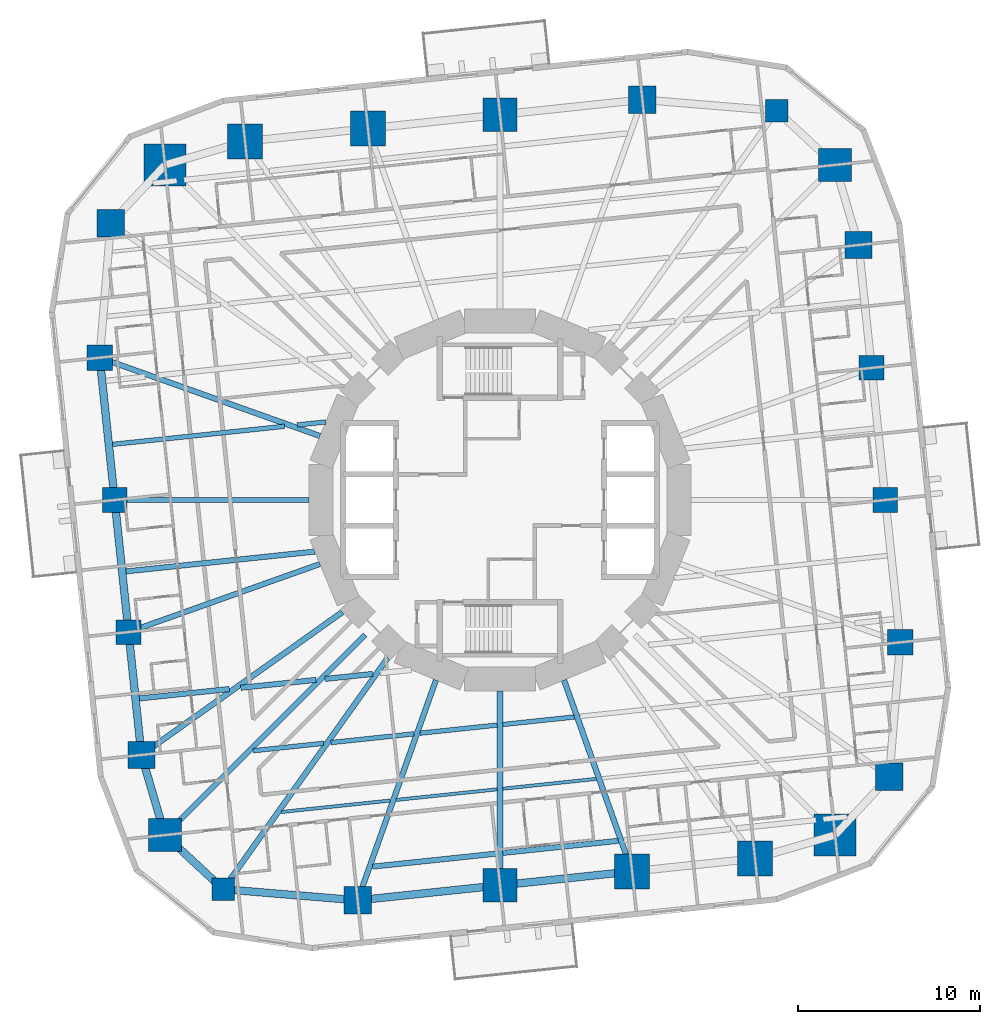
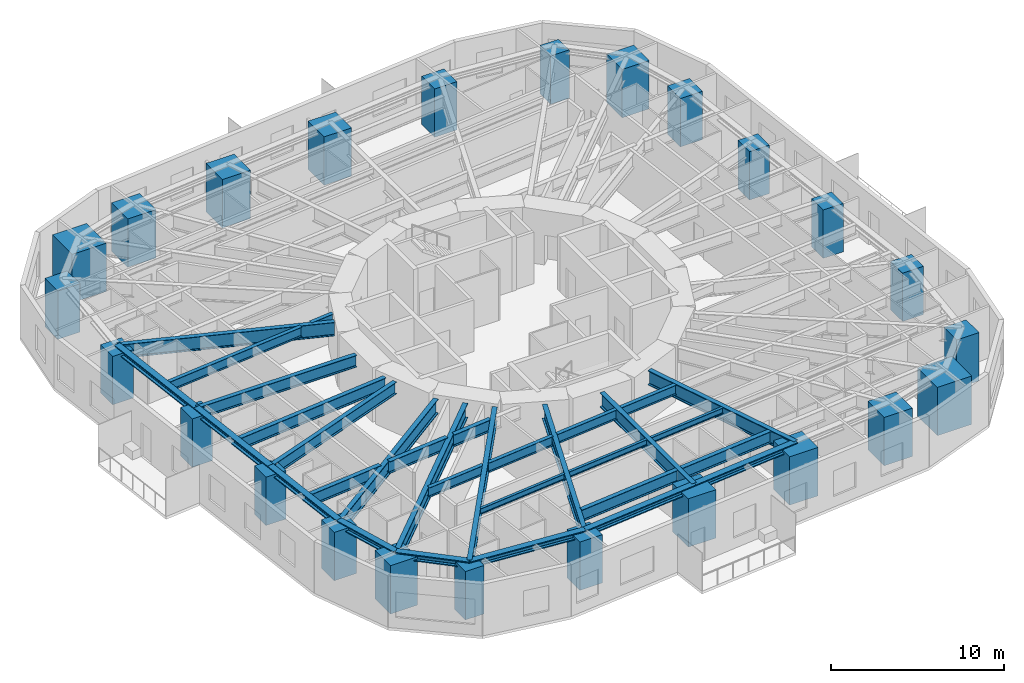
# One storey, part 1 of 13: 24 beams, 24 columns, 8 members.
"""IFC4 building model written with IfcOpenShell, lengths in metres."""

from ifc_helpers import new_model, si_unit, direction, frame, origin, origin_2d, place, context, subcontext, project, spatial, rectangle, i_section, extrude, material, material_profile, profile_set, type_object, element, save


model = new_model("IFC4")

# Units and contexts
model_context = context("Model", 3, precision=1e-05, world=origin(), true_north=direction((0.0, 1.0)))
body_context = subcontext(model_context, "Body", "Model", "MODEL_VIEW")
ifc_project = project(units=[si_unit("LENGTHUNIT", "METRE"), si_unit("AREAUNIT", "SQUARE_METRE"), si_unit("VOLUMEUNIT", "CUBIC_METRE"), si_unit("PLANEANGLEUNIT", "RADIAN"), si_unit("MASSUNIT", "GRAM", prefix="KILO")], contexts=[model_context])

# Site, building, storey
site_placement = place(None, origin())
site = spatial("IfcSite", under=ifc_project, at=site_placement, CompositionType="ELEMENT")
building_placement = place(site_placement, origin())
building = spatial("IfcBuilding", under=site, at=building_placement, Name="Nakasero Lantern House", CompositionType="ELEMENT")
storey_placement = place(building_placement, frame((0.0, 0.0, 91.300048828125)))
storey = spatial("IfcBuildingStorey", under=building, at=storey_placement, Name="L22", CompositionType="ELEMENT", Elevation=91.300048828125)

# Columns
ifc_material_1 = material(Name="Concrete C50/60", Category="concrete")
ifc_material_profile_1 = material_profile(ifc_material_1, rectangle(XDim=1.800048828125, YDim=1.800048828125, at=origin_2d()), Name="RC 1800x1800")
ifc_profile_set_1 = profile_set([ifc_material_profile_1], Name="Concrete C50/60")
column_type_1 = type_object("IfcColumnType", Name="Mega column RC 1800x1800 C50/60", PredefinedType="COLUMN", material=ifc_profile_set_1)
for number, where, z_axis, x_axis, name in (
    (1, (18.359375, 18.359375, 0.0), (0.0, 0.0, 1.0), (1.0, 0.0, 0.0), "Column B2-C06 L22"),
    (2, (-18.359375, -18.359375, 0.0), (0.0, 0.0, 1.0), (1.0, 0.0, 0.0), "Column B2-C18 L22"),
):
    element("IfcColumn", number, at=place(storey_placement, frame(where, z_axis=z_axis, x_axis=x_axis)), inside=storey, type_object=column_type_1, Name=name, PredefinedType="COLUMN", context=body_context, shape_type="SweptSolid", body=[
        extrude(rectangle(XDim=1.800048828125, YDim=1.800048828125, at=origin_2d()), origin(), (0.0, 0.0, 1.0), 3.422119140625),
    ])
ifc_material_2 = material(Name="Concrete C50/60", Category="concrete")
ifc_material_profile_2 = material_profile(ifc_material_2, rectangle(XDim=2.300048828125, YDim=2.300048828125, at=origin_2d()), Name="RC 2300x2300")
ifc_profile_set_2 = profile_set([ifc_material_profile_2], Name="Concrete C50/60")
column_type_2 = type_object("IfcColumnType", Name="Mega column RC 2300x2300 C50/60", PredefinedType="COLUMN", material=ifc_profile_set_2)
for number, where, z_axis, x_axis, name in (
    (3, (-18.359375, 18.359375, 0.0), (0.0, 0.0, 1.0), (1.0, 0.0, 0.0), "Column B2-C12 L22"),
    (4, (18.359375, -18.359375, 0.0), (0.0, 0.0, 1.0), (1.0, 0.0, 0.0), "Column B2-C24 L22"),
):
    element("IfcColumn", number, at=place(storey_placement, frame(where, z_axis=z_axis, x_axis=x_axis)), inside=storey, type_object=column_type_2, Name=name, PredefinedType="COLUMN", context=body_context, shape_type="SweptSolid", body=[
        extrude(rectangle(XDim=2.300048828125, YDim=2.300048828125, at=origin_2d()), origin(), (0.0, 0.0, 1.0), 3.422119140625),
    ])
ifc_material_3 = material(Name="Concrete C50/60", Category="concrete")
ifc_material_profile_3 = material_profile(ifc_material_3, rectangle(XDim=1.25, YDim=1.25, at=origin_2d()), Name="RC 1250x1250")
ifc_profile_set_3 = profile_set([ifc_material_profile_3], Name="Concrete C50/60")
column_type_3 = type_object("IfcColumnType", Name="Ring column RC 1250x1250 C50/60", PredefinedType="COLUMN", material=ifc_profile_set_3)
for number, where, z_axis, x_axis, name in (
    (5, (15.16650390625, 21.327880859375, 0.0), (0.0, 0.0, 1.0), (1.0, 0.0, 0.0), "Column B2-C07 L22"),
    (6, (-15.16650390625, -21.327880859375, 0.0), (0.0, 0.0, 1.0), (1.0, 0.0, 0.0), "Column B2-C19 L22"),
):
    element("IfcColumn", number, at=place(storey_placement, frame(where, z_axis=z_axis, x_axis=x_axis)), inside=storey, type_object=column_type_3, Name=name, PredefinedType="COLUMN", context=body_context, shape_type="SweptSolid", body=[
        extrude(rectangle(XDim=1.25, YDim=1.25, at=origin_2d()), origin(), (0.0, 0.0, 1.0), 3.422119140625),
    ])
ifc_material_4 = material(Name="Concrete C50/60", Category="concrete")
ifc_material_profile_4 = material_profile(ifc_material_4, rectangle(XDim=1.35009765625, YDim=1.35009765625, at=origin_2d()), Name="RC 1350x1350")
ifc_profile_set_4 = profile_set([ifc_material_profile_4], Name="Concrete C50/60")
column_type_4 = type_object("IfcColumnType", Name="Ring column RC 1350x1350 C50/60", PredefinedType="COLUMN", material=ifc_profile_set_4)
for number, where, z_axis, x_axis, name in (
    (7, (21.11572265625, 0.0, 0.0), (0.0, 0.0, 1.0), (1.0, 0.0, 0.0), "Column B2-C03 L22"),
    (8, (20.35498046875, 7.2373046875, 0.0), (0.0, 0.0, 1.0), (1.0, 0.0, 0.0), "Column B2-C04 L22"),
    (9, (-21.11572265625, 0.0, 0.0), (0.0, 0.0, 1.0), (1.0, 0.0, 0.0), "Column B2-C15 L22"),
    (10, (-20.35498046875, -7.2373046875, 0.0), (0.0, 0.0, 1.0), (1.0, 0.0, 0.0), "Column B2-C16 L22"),
):
    element("IfcColumn", number, at=place(storey_placement, frame(where, z_axis=z_axis, x_axis=x_axis)), inside=storey, type_object=column_type_4, Name=name, PredefinedType="COLUMN", context=body_context, shape_type="SweptSolid", body=[
        extrude(rectangle(XDim=1.35009765625, YDim=1.35009765625, at=origin_2d()), origin(), (0.0, 0.0, 1.0), 3.422119140625),
    ])
ifc_material_5 = material(Name="Concrete C50/60", Category="concrete")
ifc_material_profile_5 = material_profile(ifc_material_5, rectangle(XDim=1.39990234375, YDim=1.39990234375, at=origin_2d()), Name="RC 1400x1400")
ifc_profile_set_5 = profile_set([ifc_material_profile_5], Name="Concrete C50/60")
column_type_5 = type_object("IfcColumnType", Name="Ring column RC 1400x1400 C50/60", PredefinedType="COLUMN", material=ifc_profile_set_5)
for number, where, z_axis, x_axis, name in (
    (11, (21.935302734375, -7.79931640625, 0.0), (0.0, 0.0, 1.0), (1.0, 0.0, 0.0), "Column B2-C02 L22"),
    (12, (-21.935302734375, 7.79931640625, 0.0), (0.0, 0.0, 1.0), (1.0, 0.0, 0.0), "Column B2-C14 L22"),
):
    element("IfcColumn", number, at=place(storey_placement, frame(where, z_axis=z_axis, x_axis=x_axis)), inside=storey, type_object=column_type_5, Name=name, PredefinedType="COLUMN", context=body_context, shape_type="SweptSolid", body=[
        extrude(rectangle(XDim=1.39990234375, YDim=1.39990234375, at=origin_2d()), origin(), (0.0, 0.0, 1.0), 3.422119140625),
    ])
ifc_material_6 = material(Name="Concrete C50/60", Category="concrete")
ifc_material_profile_6 = material_profile(ifc_material_6, rectangle(XDim=1.5, YDim=1.5, at=origin_2d()), Name="RC 1500x1500")
ifc_profile_set_6 = profile_set([ifc_material_profile_6], Name="Concrete C50/60")
column_type_6 = type_object("IfcColumnType", Name="Ring column RC 1500x1500 C50/60", PredefinedType="COLUMN", material=ifc_profile_set_6)
for number, where, z_axis, x_axis, name in (
    (13, (21.327880859375, -15.16650390625, 0.0), (0.0, 0.0, 1.0), (1.0, 0.0, 0.0), "Column B2-C01 L22"),
    (14, (19.647216796875, 13.971435546875, 0.0), (0.0, 0.0, 1.0), (1.0, 0.0, 0.0), "Column B2-C05 L22"),
    (15, (7.79931640625, 21.935302734375, 0.0), (0.0, 0.0, 1.0), (1.0, 0.0, 0.0), "Column B2-C08 L22"),
    (16, (-21.327880859375, 15.16650390625, 0.0), (0.0, 0.0, 1.0), (1.0, 0.0, 0.0), "Column B2-C13 L22"),
    (17, (-19.647216796875, -13.971435546875, 0.0), (0.0, 0.0, 1.0), (1.0, 0.0, 0.0), "Column B2-C17 L22"),
    (18, (-7.79931640625, -21.935302734375, 0.0), (0.0, 0.0, 1.0), (1.0, 0.0, 0.0), "Column B2-C20 L22"),
):
    element("IfcColumn", number, at=place(storey_placement, frame(where, z_axis=z_axis, x_axis=x_axis)), inside=storey, type_object=column_type_6, Name=name, PredefinedType="COLUMN", context=body_context, shape_type="SweptSolid", body=[
        extrude(rectangle(XDim=1.5, YDim=1.5, at=origin_2d()), origin(), (0.0, 0.0, 1.0), 3.422119140625),
    ])
ifc_material_7 = material(Name="Concrete C50/60", Category="concrete")
ifc_material_profile_7 = material_profile(ifc_material_7, rectangle(XDim=1.85009765625, YDim=1.85009765625, at=origin_2d()), Name="RC 1850x1850")
ifc_profile_set_7 = profile_set([ifc_material_profile_7], Name="Concrete C50/60")
column_type_7 = type_object("IfcColumnType", Name="Ring column RC 1850x1850 C50/60", PredefinedType="COLUMN", material=ifc_profile_set_7)
for number, where, z_axis, x_axis, name in (
    (19, (0.0, 21.11572265625, 0.0), (0.0, 0.0, 1.0), (1.0, 0.0, 0.0), "Column B2-C09 L22"),
    (20, (0.0, -21.11572265625, 0.0), (0.0, 0.0, 1.0), (1.0, 0.0, 0.0), "Column B2-C21 L22"),
):
    element("IfcColumn", number, at=place(storey_placement, frame(where, z_axis=z_axis, x_axis=x_axis)), inside=storey, type_object=column_type_7, Name=name, PredefinedType="COLUMN", context=body_context, shape_type="SweptSolid", body=[
        extrude(rectangle(XDim=1.85009765625, YDim=1.85009765625, at=origin_2d()), origin(), (0.0, 0.0, 1.0), 3.422119140625),
    ])
ifc_material_8 = material(Name="Concrete C50/60", Category="concrete")
ifc_material_profile_8 = material_profile(ifc_material_8, rectangle(XDim=1.89990234375, YDim=1.89990234375, at=origin_2d()), Name="RC 1900x1900")
ifc_profile_set_8 = profile_set([ifc_material_profile_8], Name="Concrete C50/60")
column_type_8 = type_object("IfcColumnType", Name="Ring column RC 1900x1900 C50/60", PredefinedType="COLUMN", material=ifc_profile_set_8)
for number, where, z_axis, x_axis, name in (
    (21, (-7.2373046875, 20.35498046875, 0.0), (0.0, 0.0, 1.0), (1.0, 0.0, 0.0), "Column B2-C10 L22"),
    (22, (-13.971435546875, 19.647216796875, 0.0), (0.0, 0.0, 1.0), (1.0, 0.0, 0.0), "Column B2-C11 L22"),
    (23, (7.2373046875, -20.35498046875, 0.0), (0.0, 0.0, 1.0), (1.0, 0.0, 0.0), "Column B2-C22 L22"),
    (24, (13.971435546875, -19.647216796875, 0.0), (0.0, 0.0, 1.0), (1.0, 0.0, 0.0), "Column B2-C23 L22"),
):
    element("IfcColumn", number, at=place(storey_placement, frame(where, z_axis=z_axis, x_axis=x_axis)), inside=storey, type_object=column_type_8, Name=name, PredefinedType="COLUMN", context=body_context, shape_type="SweptSolid", body=[
        extrude(rectangle(XDim=1.89990234375, YDim=1.89990234375, at=origin_2d()), origin(), (0.0, 0.0, 1.0), 3.422119140625),
    ])

# Members
ifc_material_9 = material(Name="Steel S355", Category="steel")
ifc_material_profile_9 = material_profile(ifc_material_9, i_section(OverallWidth=0.41845703125, OverallDepth=0.45556640625, WebThickness=0.0419921875, FlangeThickness=0.0673828125, FilletRadius=0.01513671875, at=origin_2d()), Name="UC 356x406x551")
ifc_profile_set_9 = profile_set([ifc_material_profile_9], Name="Steel S355")
member_type = type_object("IfcMemberType", Name="Belt truss chord UC 356x406x551", PredefinedType="CHORD", material=ifc_profile_set_9)
member_1_placement = place(storey_placement, frame((-21.935302734375, 7.79931640625, 3.422119140625), z_axis=(0.104508144098, -0.994524030789, 0.0), x_axis=(0.994524030789, 0.104508144098, 0.0)))
element("IfcMember", 25, at=member_1_placement, inside=storey, type_object=member_type, Name="Belt truss bottom chord T2 B2-C14", PredefinedType="CHORD", context=body_context, shape_type="SweptSolid", body=[
    extrude(i_section(OverallWidth=0.41845703125, OverallDepth=0.45556640625, WebThickness=0.0419921875, FlangeThickness=0.0673828125, FilletRadius=0.01513671875, at=origin_2d()), origin(), (0.0, 0.0, 1.0), 7.84228515625),
])
member_2_placement = place(storey_placement, frame((-21.11572265625, 0.0, 3.422119140625), z_axis=(0.104538087767, -0.994520883746, 0.0), x_axis=(0.994520883746, 0.104538087767, 0.0)))
element("IfcMember", 26, at=member_2_placement, inside=storey, type_object=member_type, Name="Belt truss bottom chord T2 B2-C15", PredefinedType="CHORD", context=body_context, shape_type="SweptSolid", body=[
    extrude(i_section(OverallWidth=0.41845703125, OverallDepth=0.45556640625, WebThickness=0.0419921875, FlangeThickness=0.0673828125, FilletRadius=0.01513671875, at=origin_2d()), origin(), (0.0, 0.0, 1.0), 7.277099609375),
])
member_3_placement = place(storey_placement, frame((-20.35498046875, -7.2373046875, 3.422119140625), z_axis=(0.10452524939, -0.994522233155, 0.0), x_axis=(0.994522233155, 0.10452524939, 0.0)))
element("IfcMember", 27, at=member_3_placement, inside=storey, type_object=member_type, Name="Belt truss bottom chord T2 B2-C16", PredefinedType="CHORD", context=body_context, shape_type="SweptSolid", body=[
    extrude(i_section(OverallWidth=0.41845703125, OverallDepth=0.45556640625, WebThickness=0.0419921875, FlangeThickness=0.0673828125, FilletRadius=0.01513671875, at=origin_2d()), origin(), (0.0, 0.0, 1.0), 6.771240234375),
])
member_4_placement = place(storey_placement, frame((-19.647216796875, -13.971435546875, 3.422119140625), z_axis=(0.28161710443, -0.959526865957, 0.0), x_axis=(0.959526865957, 0.28161710443, 0.0)))
element("IfcMember", 28, at=member_4_placement, inside=storey, type_object=member_type, Name="Belt truss bottom chord T2 B2-C17", PredefinedType="CHORD", context=body_context, shape_type="SweptSolid", body=[
    extrude(i_section(OverallWidth=0.41845703125, OverallDepth=0.45556640625, WebThickness=0.0419921875, FlangeThickness=0.0673828125, FilletRadius=0.01513671875, at=origin_2d()), origin(), (0.0, 0.0, 1.0), 4.572998046875),
])
member_5_placement = place(storey_placement, frame((-18.359375, -18.359375, 3.422119140625), z_axis=(0.732370510336, -0.680906333933, 0.0), x_axis=(0.680906333933, 0.732370510336, 0.0)))
element("IfcMember", 29, at=member_5_placement, inside=storey, type_object=member_type, Name="Belt truss bottom chord T2 B2-C18", PredefinedType="CHORD", context=body_context, shape_type="SweptSolid", body=[
    extrude(i_section(OverallWidth=0.41845703125, OverallDepth=0.45556640625, WebThickness=0.0419921875, FlangeThickness=0.0673828125, FilletRadius=0.01513671875, at=origin_2d()), origin(), (0.0, 0.0, 1.0), 4.359619140625),
])
member_6_placement = place(storey_placement, frame((-15.16650390625, -21.327880859375, 3.422119140625), z_axis=(0.996618261264, -0.08217080574, 0.0), x_axis=(0.08217080574, 0.996618261264, 0.0)))
element("IfcMember", 30, at=member_6_placement, inside=storey, type_object=member_type, Name="Belt truss bottom chord T2 B2-C19", PredefinedType="CHORD", context=body_context, shape_type="SweptSolid", body=[
    extrude(i_section(OverallWidth=0.41845703125, OverallDepth=0.45556640625, WebThickness=0.0419921875, FlangeThickness=0.0673828125, FilletRadius=0.01513671875, at=origin_2d()), origin(), (0.0, 0.0, 1.0), 7.39208984375),
])
member_7_placement = place(storey_placement, frame((-7.79931640625, -21.935302734375, 3.422119140625), z_axis=(0.994524030789, 0.104508144098, 0.0), x_axis=(-0.104508144098, 0.994524030789, 0.0)))
element("IfcMember", 31, at=member_7_placement, inside=storey, type_object=member_type, Name="Belt truss bottom chord T2 B2-C20", PredefinedType="CHORD", context=body_context, shape_type="SweptSolid", body=[
    extrude(i_section(OverallWidth=0.41845703125, OverallDepth=0.45556640625, WebThickness=0.0419921875, FlangeThickness=0.0673828125, FilletRadius=0.01513671875, at=origin_2d()), origin(), (0.0, 0.0, 1.0), 7.84228515625),
])
member_8_placement = place(storey_placement, frame((0.0, -21.11572265625, 3.422119140625), z_axis=(0.994520883746, 0.104538087767, 0.0), x_axis=(-0.104538087767, 0.994520883746, 0.0)))
element("IfcMember", 32, at=member_8_placement, inside=storey, type_object=member_type, Name="Belt truss bottom chord T2 B2-C21", PredefinedType="CHORD", context=body_context, shape_type="SweptSolid", body=[
    extrude(i_section(OverallWidth=0.41845703125, OverallDepth=0.45556640625, WebThickness=0.0419921875, FlangeThickness=0.0673828125, FilletRadius=0.01513671875, at=origin_2d()), origin(), (0.0, 0.0, 1.0), 7.277099609375),
])

# Beams
ifc_material_10 = material(Name="Steel S355", Category="steel")
ifc_material_profile_10 = material_profile(ifc_material_10, i_section(OverallWidth=0.179443359375, OverallDepth=0.412841796875, WebThickness=0.009521484375, FlangeThickness=0.01611328125, FilletRadius=0.01025390625, at=origin_2d()), Name="UB 406x178x74")
ifc_profile_set_10 = profile_set([ifc_material_profile_10], Name="Steel S355")
beam_type_1 = type_object("IfcBeamType", Name="Infill beam UB 406x178x74", PredefinedType="JOIST", material=ifc_profile_set_10)
beam_1_placement = place(storey_placement, frame((-11.968994140625, -17.0947265625, 3.443603515625), z_axis=(0.994523091148, 0.104517085559, 0.0), x_axis=(-0.104517085559, 0.994523091148, 0.0)))
element("IfcBeam", 33, at=beam_1_placement, inside=storey, type_object=beam_type_1, Name="Infill beam L23 03.1", PredefinedType="JOIST", context=body_context, shape_type="SweptSolid", body=[
    extrude(i_section(OverallWidth=0.179443359375, OverallDepth=0.412841796875, WebThickness=0.009521484375, FlangeThickness=0.01611328125, FilletRadius=0.01025390625, at=origin_2d()), origin(), (0.0, 0.0, 1.0), 5.98681640625),
])
beam_2_placement = place(storey_placement, frame((-5.68408203125, -16.43408203125, 3.443603515625), z_axis=(0.994523477097, 0.104513413028, 0.0), x_axis=(-0.104513413028, 0.994523477097, 0.0)))
element("IfcBeam", 34, at=beam_2_placement, inside=storey, type_object=beam_type_1, Name="Infill beam L23 03.2", PredefinedType="JOIST", context=body_context, shape_type="SweptSolid", body=[
    extrude(i_section(OverallWidth=0.179443359375, OverallDepth=0.412841796875, WebThickness=0.009521484375, FlangeThickness=0.01611328125, FilletRadius=0.01025390625, at=origin_2d()), origin(), (0.0, 0.0, 1.0), 5.56201171875),
])
beam_3_placement = place(storey_placement, frame((0.152587890625, -15.82080078125, 3.443603515625), z_axis=(0.994521035451, 0.104536644512, 0.0), x_axis=(-0.104536644512, 0.994521035451, 0.0)))
element("IfcBeam", 35, at=beam_3_placement, inside=storey, type_object=beam_type_1, Name="Infill beam L23 03.3", PredefinedType="JOIST", context=body_context, shape_type="SweptSolid", body=[
    extrude(i_section(OverallWidth=0.179443359375, OverallDepth=0.412841796875, WebThickness=0.009521484375, FlangeThickness=0.01611328125, FilletRadius=0.01025390625, at=origin_2d()), origin(), (0.0, 0.0, 1.0), 5.1474609375),
])
ifc_material_11 = material(Name="Steel S355", Category="steel")
ifc_material_profile_11 = material_profile(ifc_material_11, i_section(OverallWidth=0.253662109375, OverallDepth=0.68359375, WebThickness=0.012451171875, FlangeThickness=0.01904296875, FilletRadius=0.01513671875, at=origin_2d()), Name="UB 686x254x140")
ifc_profile_set_11 = profile_set([ifc_material_profile_11], Name="Steel S355")
beam_type_2 = type_object("IfcBeamType", Name="Infill beam UB 686x254x140", PredefinedType="JOIST", material=ifc_profile_set_11)
beam_4_placement = place(storey_placement, frame((-13.520263671875, -13.738525390625, 3.30810546875), z_axis=(0.994521333048, 0.104533813249, 0.0), x_axis=(-0.104533813249, 0.994521333048, 0.0)))
element("IfcBeam", 36, at=beam_4_placement, inside=storey, type_object=beam_type_2, Name="Infill beam L23 04.1", PredefinedType="JOIST", context=body_context, shape_type="SweptSolid", body=[
    extrude(i_section(OverallWidth=0.253662109375, OverallDepth=0.68359375, WebThickness=0.012451171875, FlangeThickness=0.01904296875, FilletRadius=0.01513671875, at=origin_2d()), origin(), (0.0, 0.0, 1.0), 3.872314453125),
])
beam_5_placement = place(storey_placement, frame((-9.26416015625, -13.291259765625, 3.30810546875), z_axis=(0.994519189264, 0.104554206921, 0.0), x_axis=(-0.104554206921, 0.994519189264, 0.0)))
element("IfcBeam", 37, at=beam_5_placement, inside=storey, type_object=beam_type_2, Name="Infill beam L23 04.2", PredefinedType="JOIST", context=body_context, shape_type="SweptSolid", body=[
    extrude(i_section(OverallWidth=0.253662109375, OverallDepth=0.68359375, WebThickness=0.012451171875, FlangeThickness=0.01904296875, FilletRadius=0.01513671875, at=origin_2d()), origin(), (0.0, 0.0, 1.0), 4.574462890625),
])
beam_6_placement = place(storey_placement, frame((-4.38427734375, -12.7783203125, 3.30810546875), z_axis=(0.994520533601, 0.104541418809, 0.0), x_axis=(-0.104541418809, 0.994520533601, 0.0)))
element("IfcBeam", 38, at=beam_6_placement, inside=storey, type_object=beam_type_2, Name="Infill beam L23 04.3", PredefinedType="JOIST", context=body_context, shape_type="SweptSolid", body=[
    extrude(i_section(OverallWidth=0.253662109375, OverallDepth=0.68359375, WebThickness=0.012451171875, FlangeThickness=0.01904296875, FilletRadius=0.01513671875, at=origin_2d()), origin(), (0.0, 0.0, 1.0), 4.2548828125),
])
beam_7_placement = place(storey_placement, frame((0.152587890625, -12.301513671875, 3.30810546875), z_axis=(0.994518705521, 0.104558808186, 0.0), x_axis=(-0.104558808186, 0.994518705521, 0.0)))
element("IfcBeam", 39, at=beam_7_placement, inside=storey, type_object=beam_type_2, Name="Infill beam L23 04.4", PredefinedType="JOIST", context=body_context, shape_type="SweptSolid", body=[
    extrude(i_section(OverallWidth=0.253662109375, OverallDepth=0.68359375, WebThickness=0.012451171875, FlangeThickness=0.01904296875, FilletRadius=0.01513671875, at=origin_2d()), origin(), (0.0, 0.0, 1.0), 3.934326171875),
])
beam_8_placement = place(storey_placement, frame((-21.2255859375, 3.048095703125, 3.30810546875), z_axis=(0.994523374345, 0.104514390789, 0.0), x_axis=(-0.104514390789, 0.994523374345, 0.0)))
element("IfcBeam", 40, at=beam_8_placement, inside=storey, type_object=beam_type_2, Name="Infill beam L23 09.1", PredefinedType="JOIST", context=body_context, shape_type="SweptSolid", body=[
    extrude(i_section(OverallWidth=0.253662109375, OverallDepth=0.68359375, WebThickness=0.012451171875, FlangeThickness=0.01904296875, FilletRadius=0.01513671875, at=origin_2d()), origin(), (0.0, 0.0, 1.0), 9.47216796875),
])
beam_9_placement = place(storey_placement, frame((-11.11376953125, 4.11083984375, 3.30810546875), z_axis=(0.994519044702, 0.104555581989, 0.0), x_axis=(-0.104555581989, 0.994519044702, 0.0)))
element("IfcBeam", 41, at=beam_9_placement, inside=storey, type_object=beam_type_2, Name="Infill beam L23 09.2", PredefinedType="JOIST", context=body_context, shape_type="SweptSolid", body=[
    extrude(i_section(OverallWidth=0.253662109375, OverallDepth=0.68359375, WebThickness=0.012451171875, FlangeThickness=0.01904296875, FilletRadius=0.01513671875, at=origin_2d()), origin(), (0.0, 0.0, 1.0), 1.57373046875),
])
ifc_material_12 = material(Name="Steel S355", Category="steel")
ifc_material_profile_12 = material_profile(ifc_material_12, i_section(OverallWidth=0.29248046875, OverallDepth=0.8408203125, WebThickness=0.0146484375, FlangeThickness=0.02685546875, FilletRadius=0.017822265625, at=origin_2d()), Name="UB 838x292x194")
ifc_profile_set_12 = profile_set([ifc_material_profile_12], Name="Steel S355")
beam_type_3 = type_object("IfcBeamType", Name="Infill beam UB 838x292x194", PredefinedType="JOIST", material=ifc_profile_set_12)
beam_10_placement = place(storey_placement, frame((-6.98388671875, -20.090087890625, 3.2294921875), z_axis=(0.994521605712, 0.104531219127, 0.0), x_axis=(-0.104531219127, 0.994521605712, 0.0)))
element("IfcBeam", 42, at=beam_10_placement, inside=storey, type_object=beam_type_3, Name="Infill beam L23 02.1", PredefinedType="JOIST", context=body_context, shape_type="SweptSolid", body=[
    extrude(i_section(OverallWidth=0.29248046875, OverallDepth=0.8408203125, WebThickness=0.0146484375, FlangeThickness=0.02685546875, FilletRadius=0.017822265625, at=origin_2d()), origin(), (0.0, 0.0, 1.0), 6.868896484375),
])
beam_11_placement = place(storey_placement, frame((0.152587890625, -19.340087890625, 3.2294921875), z_axis=(0.994518485609, 0.104560899873, 0.0), x_axis=(-0.104560899873, 0.994518485609, 0.0)))
element("IfcBeam", 43, at=beam_11_placement, inside=storey, type_object=beam_type_3, Name="Infill beam L23 02.2", PredefinedType="JOIST", context=body_context, shape_type="SweptSolid", body=[
    extrude(i_section(OverallWidth=0.29248046875, OverallDepth=0.8408203125, WebThickness=0.0146484375, FlangeThickness=0.02685546875, FilletRadius=0.017822265625, at=origin_2d()), origin(), (0.0, 0.0, 1.0), 6.3603515625),
])
beam_12_placement = place(storey_placement, frame((-19.76220703125, -10.875244140625, 3.2294921875), z_axis=(0.994522435587, 0.104523323304, 0.0), x_axis=(-0.104523323304, 0.994522435587, 0.0)))
element("IfcBeam", 44, at=beam_12_placement, inside=storey, type_object=beam_type_3, Name="Infill beam L23 05.1", PredefinedType="JOIST", context=body_context, shape_type="SweptSolid", body=[
    extrude(i_section(OverallWidth=0.29248046875, OverallDepth=0.8408203125, WebThickness=0.0146484375, FlangeThickness=0.02685546875, FilletRadius=0.017822265625, at=origin_2d()), origin(), (0.0, 0.0, 1.0), 4.958740234375),
])
beam_13_placement = place(storey_placement, frame((-14.2060546875, -10.291259765625, 3.2294921875), z_axis=(0.994524117226, 0.104507321538, 0.0), x_axis=(-0.104507321538, 0.994524117226, 0.0)))
element("IfcBeam", 45, at=beam_13_placement, inside=storey, type_object=beam_type_3, Name="Infill beam L23 05.2", PredefinedType="JOIST", context=body_context, shape_type="SweptSolid", body=[
    extrude(i_section(OverallWidth=0.29248046875, OverallDepth=0.8408203125, WebThickness=0.0146484375, FlangeThickness=0.02685546875, FilletRadius=0.017822265625, at=origin_2d()), origin(), (0.0, 0.0, 1.0), 4.153564453125),
])
beam_14_placement = place(storey_placement, frame((-9.587890625, -9.805908203125, 3.2294921875), z_axis=(0.994526225025, 0.104487261125, 0.0), x_axis=(-0.104487261125, 0.994526225025, 0.0)))
element("IfcBeam", 46, at=beam_14_placement, inside=storey, type_object=beam_type_3, Name="Infill beam L23 05.3", PredefinedType="JOIST", context=body_context, shape_type="SweptSolid", body=[
    extrude(i_section(OverallWidth=0.29248046875, OverallDepth=0.8408203125, WebThickness=0.0146484375, FlangeThickness=0.02685546875, FilletRadius=0.017822265625, at=origin_2d()), origin(), (0.0, 0.0, 1.0), 2.637939453125),
])
beam_15_placement = place(storey_placement, frame((-20.493896484375, -3.91357421875, 3.2294921875), z_axis=(0.994523571094, 0.104512518575, 0.0), x_axis=(-0.104512518575, 0.994523571094, 0.0)))
element("IfcBeam", 47, at=beam_15_placement, inside=storey, type_object=beam_type_3, Name="Infill beam L23 07.1", PredefinedType="JOIST", context=body_context, shape_type="SweptSolid", body=[
    extrude(i_section(OverallWidth=0.29248046875, OverallDepth=0.8408203125, WebThickness=0.0146484375, FlangeThickness=0.02685546875, FilletRadius=0.017822265625, at=origin_2d()), origin(), (0.0, 0.0, 1.0), 10.402099609375),
])
ifc_material_13 = material(Name="Steel S355", Category="steel")
ifc_material_profile_13 = material_profile(ifc_material_13, i_section(OverallWidth=0.300048828125, OverallDepth=0.97021484375, WebThickness=0.01611328125, FlangeThickness=0.02099609375, FilletRadius=0.030029296875, at=origin_2d()), Name="UB 1016x305x222")
ifc_profile_set_13 = profile_set([ifc_material_profile_13], Name="Steel S355")
beam_type_4 = type_object("IfcBeamType", Name="Primary beam UB 1016x305x222, span 12 to 15 m", PredefinedType="BEAM", material=ifc_profile_set_13)
beam_16_placement = place(storey_placement, frame((-21.935302734375, 7.79931640625, 3.164794921875), z_axis=(0.942211882636, -0.335017564047, 0.0), x_axis=(0.335017564047, 0.942211882636, 0.0)))
element("IfcBeam", 48, at=beam_16_placement, inside=storey, type_object=beam_type_4, Name="Primary beam L23 B2-C14", PredefinedType="BEAM", context=body_context, shape_type="SweptSolid", body=[
    extrude(i_section(OverallWidth=0.300048828125, OverallDepth=0.97021484375, WebThickness=0.01611328125, FlangeThickness=0.02099609375, FilletRadius=0.030029296875, at=origin_2d()), origin(), (0.0, 0.0, 1.0), 12.80908203125),
])
ifc_material_14 = material(Name="Steel S355", Category="steel")
ifc_material_profile_14 = material_profile(ifc_material_14, i_section(OverallWidth=0.300048828125, OverallDepth=1.0, WebThickness=0.01904296875, FlangeThickness=0.035888671875, FilletRadius=0.030029296875, at=origin_2d()), Name="UB 1016x305x314")
ifc_profile_set_14 = profile_set([ifc_material_profile_14], Name="Steel S355")
beam_type_5 = type_object("IfcBeamType", Name="Primary beam UB 1016x305x314, span 12 to 15 m", PredefinedType="BEAM", material=ifc_profile_set_14)
beam_17_placement = place(storey_placement, frame((-7.79931640625, -21.935302734375, 3.14990234375), z_axis=(0.335017564047, 0.942211882636, 0.0), x_axis=(-0.942211882636, 0.335017564047, 0.0)))
element("IfcBeam", 49, at=beam_17_placement, inside=storey, type_object=beam_type_5, Name="Primary beam L23 B2-C20", PredefinedType="BEAM", context=body_context, shape_type="SweptSolid", body=[
    extrude(i_section(OverallWidth=0.300048828125, OverallDepth=1.0, WebThickness=0.01904296875, FlangeThickness=0.035888671875, FilletRadius=0.030029296875, at=origin_2d()), origin(), (0.0, 0.0, 1.0), 12.80908203125),
])
ifc_material_15 = material(Name="Steel S355", Category="steel")
ifc_material_profile_15 = material_profile(ifc_material_15, i_section(OverallWidth=0.305419921875, OverallDepth=1.026123046875, WebThickness=0.02685546875, FlangeThickness=0.049072265625, FilletRadius=0.030029296875, at=origin_2d()), Name="UB 1016x305x437")
ifc_profile_set_15 = profile_set([ifc_material_profile_15], Name="Steel S355")
beam_type_6 = type_object("IfcBeamType", Name="Primary beam UB 1016x305x437, span 9 to 12 m", PredefinedType="BEAM", material=ifc_profile_set_15)
beam_18_placement = place(storey_placement, frame((0.0, -21.11572265625, 3.136962890625), z_axis=(0.0, 1.0, 0.0), x_axis=(-1.0, 0.0, 0.0)))
element("IfcBeam", 50, at=beam_18_placement, inside=storey, type_object=beam_type_6, Name="Primary beam L23 B2-C21", PredefinedType="BEAM", context=body_context, shape_type="SweptSolid", body=[
    extrude(i_section(OverallWidth=0.305419921875, OverallDepth=1.026123046875, WebThickness=0.02685546875, FlangeThickness=0.049072265625, FilletRadius=0.030029296875, at=origin_2d()), origin(), (0.0, 0.0, 1.0), 10.657958984375),
])
beam_19_placement = place(storey_placement, frame((7.2373046875, -20.35498046875, 3.136962890625), z_axis=(-0.335009234979, 0.942214844119, 0.0), x_axis=(-0.942214844119, -0.335009234979, 0.0)))
element("IfcBeam", 51, at=beam_19_placement, inside=storey, type_object=beam_type_6, Name="Primary beam L23 B2-C22", PredefinedType="BEAM", context=body_context, shape_type="SweptSolid", body=[
    extrude(i_section(OverallWidth=0.305419921875, OverallDepth=1.026123046875, WebThickness=0.02685546875, FlangeThickness=0.049072265625, FilletRadius=0.030029296875, at=origin_2d()), origin(), (0.0, 0.0, 1.0), 11.1318359375),
])
ifc_material_16 = material(Name="Steel S355", Category="steel")
ifc_material_profile_16 = material_profile(ifc_material_16, i_section(OverallWidth=0.305419921875, OverallDepth=1.026123046875, WebThickness=0.02685546875, FlangeThickness=0.049072265625, FilletRadius=0.030029296875, at=origin_2d()), Name="UB 1016x305x437")
ifc_profile_set_16 = profile_set([ifc_material_profile_16], Name="Steel S355")
beam_type_7 = type_object("IfcBeamType", Name="Primary beam UB 1016x305x437, span over 15 m", PredefinedType="BEAM", material=ifc_profile_set_16)
beam_20_placement = place(storey_placement, frame((-15.16650390625, -21.327880859375, 3.136962890625), z_axis=(0.57952911085, 0.814951538239, 0.0), x_axis=(-0.814951538239, 0.57952911085, 0.0)))
element("IfcBeam", 52, at=beam_20_placement, inside=storey, type_object=beam_type_7, Name="Primary beam L23 B2-C19", PredefinedType="BEAM", context=body_context, shape_type="SweptSolid", body=[
    extrude(i_section(OverallWidth=0.305419921875, OverallDepth=1.026123046875, WebThickness=0.02685546875, FlangeThickness=0.049072265625, FilletRadius=0.030029296875, at=origin_2d()), origin(), (0.0, 0.0, 1.0), 15.564697265625),
])
ifc_material_17 = material(Name="Steel S355", Category="steel")
ifc_material_profile_17 = material_profile(ifc_material_17, i_section(OverallWidth=0.30859375, OverallDepth=1.036376953125, WebThickness=0.030029296875, FlangeThickness=0.05419921875, FilletRadius=0.030029296875, at=origin_2d()), Name="UB 1016x305x487")
ifc_profile_set_17 = profile_set([ifc_material_profile_17], Name="Steel S355")
beam_type_8 = type_object("IfcBeamType", Name="Primary beam UB 1016x305x487, span 12 to 15 m", PredefinedType="BEAM", material=ifc_profile_set_17)
beam_21_placement = place(storey_placement, frame((-19.647216796875, -13.971435546875, 3.081787109375), z_axis=(0.814948492976, 0.579533393168, 0.0), x_axis=(-0.579533393168, 0.814948492976, 0.0)))
element("IfcBeam", 53, at=beam_21_placement, inside=storey, type_object=beam_type_8, Name="Primary beam L23 B2-C17", PredefinedType="BEAM", context=body_context, shape_type="SweptSolid", body=[
    extrude(i_section(OverallWidth=0.30859375, OverallDepth=1.036376953125, WebThickness=0.030029296875, FlangeThickness=0.05419921875, FilletRadius=0.030029296875, at=origin_2d()), origin(), (0.0, 0.0, 1.0), 13.502685546875),
])
ifc_material_18 = material(Name="Steel S355", Category="steel")
ifc_material_profile_18 = material_profile(ifc_material_18, i_section(OverallWidth=0.30859375, OverallDepth=1.036376953125, WebThickness=0.030029296875, FlangeThickness=0.05419921875, FilletRadius=0.030029296875, at=origin_2d()), Name="UB 1016x305x487")
ifc_profile_set_18 = profile_set([ifc_material_profile_18], Name="Steel S355")
beam_type_9 = type_object("IfcBeamType", Name="Primary beam UB 1016x305x487, span over 15 m", PredefinedType="BEAM", material=ifc_profile_set_18)
beam_22_placement = place(storey_placement, frame((-18.359375, -18.359375, 3.081787109375), z_axis=(0.707106781187, 0.707106781187, 0.0), x_axis=(-0.707106781187, 0.707106781187, 0.0)))
element("IfcBeam", 54, at=beam_22_placement, inside=storey, type_object=beam_type_9, Name="Primary beam L23 B2-C18", PredefinedType="BEAM", context=body_context, shape_type="SweptSolid", body=[
    extrude(i_section(OverallWidth=0.30859375, OverallDepth=1.036376953125, WebThickness=0.030029296875, FlangeThickness=0.05419921875, FilletRadius=0.030029296875, at=origin_2d()), origin(), (0.0, 0.0, 1.0), 15.50634765625),
])
ifc_material_19 = material(Name="Steel S355", Category="steel")
ifc_material_profile_19 = material_profile(ifc_material_19, i_section(OverallWidth=0.29248046875, OverallDepth=0.8408203125, WebThickness=0.0146484375, FlangeThickness=0.02685546875, FilletRadius=0.017822265625, at=origin_2d()), Name="UB 838x292x194")
ifc_profile_set_19 = profile_set([ifc_material_profile_19], Name="Steel S355")
beam_type_10 = type_object("IfcBeamType", Name="Primary beam UB 838x292x194, span 9 to 12 m", PredefinedType="BEAM", material=ifc_profile_set_19)
beam_23_placement = place(storey_placement, frame((-21.11572265625, 0.0, 3.2294921875), z_axis=(1.0, 0.0, 0.0), x_axis=(0.0, 1.0, 0.0)))
element("IfcBeam", 55, at=beam_23_placement, inside=storey, type_object=beam_type_10, Name="Primary beam L23 B2-C15", PredefinedType="BEAM", context=body_context, shape_type="SweptSolid", body=[
    extrude(i_section(OverallWidth=0.29248046875, OverallDepth=0.8408203125, WebThickness=0.0146484375, FlangeThickness=0.02685546875, FilletRadius=0.017822265625, at=origin_2d()), origin(), (0.0, 0.0, 1.0), 10.657958984375),
])
beam_24_placement = place(storey_placement, frame((-20.35498046875, -7.2373046875, 3.2294921875), z_axis=(0.942214844119, 0.335009234979, 0.0), x_axis=(-0.335009234979, 0.942214844119, 0.0)))
element("IfcBeam", 56, at=beam_24_placement, inside=storey, type_object=beam_type_10, Name="Primary beam L23 B2-C16", PredefinedType="BEAM", context=body_context, shape_type="SweptSolid", body=[
    extrude(i_section(OverallWidth=0.29248046875, OverallDepth=0.8408203125, WebThickness=0.0146484375, FlangeThickness=0.02685546875, FilletRadius=0.017822265625, at=origin_2d()), origin(), (0.0, 0.0, 1.0), 11.1318359375),
])

save(model, "model.ifc")
